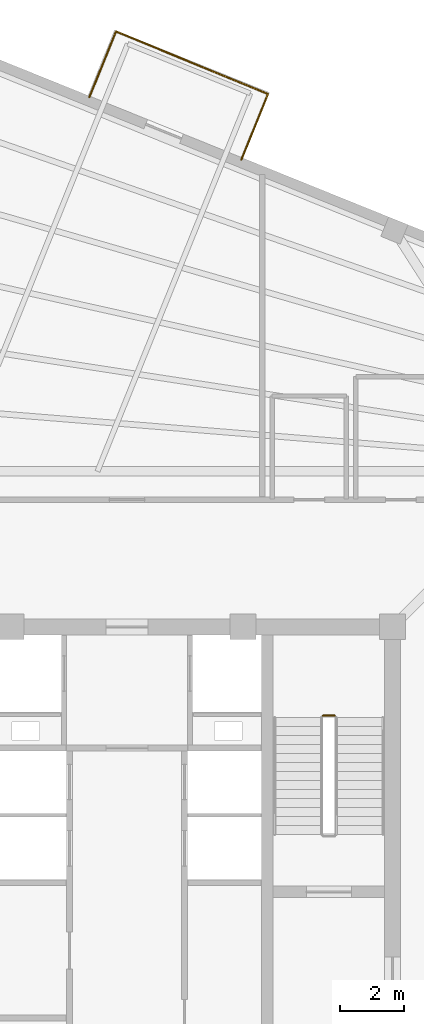
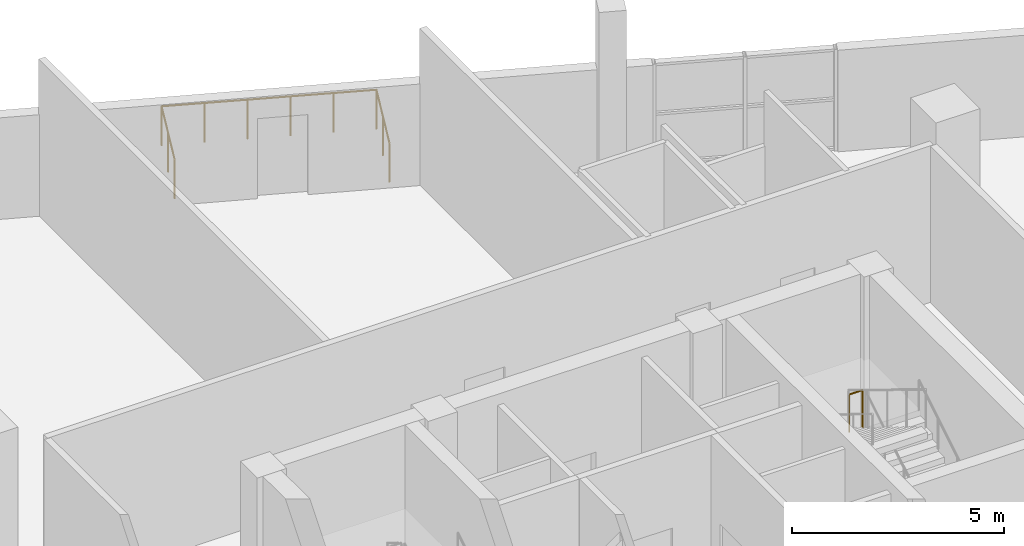
# One storey, part 9 of 9: 4 railings.
"""IFC4 building model written with IfcOpenShell, lengths in metres."""

from ifc_helpers import new_model, si_unit, direction, frame, origin, origin_2d, place, context, subcontext, project, spatial, circle, extrude, source, transform, mapped, material, type_object, element, save


model = new_model("IFC4")

# Units and contexts
model_context = context("Model", 3, precision=1e-05, world=origin(), true_north=direction((0.0, 1.0)))
body_context = subcontext(model_context, "Body", "Model", "MODEL_VIEW")
ifc_project = project(units=[si_unit("LENGTHUNIT", "METRE"), si_unit("AREAUNIT", "SQUARE_METRE"), si_unit("VOLUMEUNIT", "CUBIC_METRE"), si_unit("PLANEANGLEUNIT", "RADIAN"), si_unit("MASSUNIT", "GRAM", prefix="KILO"), si_unit("THERMODYNAMICTEMPERATUREUNIT", "KELVIN")], contexts=[model_context])

# Site, building, storey
site_placement = place(None, origin())
site = spatial("IfcSite", under=ifc_project, at=site_placement, CompositionType="ELEMENT")
building_placement = place(site_placement, origin())
building = spatial("IfcBuilding", under=site, at=building_placement, Name="Kosmvard Interchange Tower", CompositionType="ELEMENT")
storey_placement = place(building_placement, frame((0.0, 0.0, 316.800048828125)))
storey = spatial("IfcBuildingStorey", under=building, at=storey_placement, Name="L78", CompositionType="ELEMENT", Elevation=316.800048828125)

# Railings
ifc_material = material(Name="Steel S355", Category="steel")
railing_type_1 = type_object("IfcRailingType", Name="Observation & Balcony Glass-Infill Balustrade 1150", PredefinedType="BALUSTRADE", material=ifc_material)
shared_shape_1 = source(origin(), body_context, "Body", "SweptSolid", [
    extrude(circle(Radius=0.02392578125, at=origin_2d()), frame((0.0, 0.0, 1.1259765625), z_axis=(0.374641021112, 0.927169944131, 0.0), x_axis=(-0.927169944131, 0.374641021112, 0.0)), (0.0, 0.0, 1.0), 2.199951171875),
    extrude(circle(Radius=0.02099609375, at=origin_2d()), origin(), (0.0, 0.0, 1.0), 1.101806640625),
    extrude(circle(Radius=0.02099609375, at=origin_2d()), frame((0.412109375, 1.02001953125, 0.0)), (0.0, 0.0, 1.0), 1.101806640625),
    extrude(circle(Radius=0.02099609375, at=origin_2d()), frame((0.82421875, 2.039794921875, 0.0)), (0.0, 0.0, 1.0), 1.101806640625),
])
railing_1_placement = place(storey_placement, frame((3.55419921875, 22.762939453125, 0.0)))
element("IfcRailing", 1, at=railing_1_placement, inside=storey, type_object=railing_type_1, Name="L78 Outdoor Terrace Guard OBD-L78-E-A", PredefinedType="BALUSTRADE", context=body_context, shape_type="MappedRepresentation", body=[
    mapped(shared_shape_1, transform((0.0, 0.0, 0.0), scale=1.0)),
])
shared_shape_2 = source(origin(), body_context, "Body", "SweptSolid", [
    extrude(circle(Radius=0.02392578125, at=origin_2d()), frame((0.0, 0.0, 1.1259765625), z_axis=(-0.924872094876, 0.380278329806, 0.0), x_axis=(-0.380278329806, -0.924872094876, 0.0)), (0.0, 0.0, 1.0), 5.105224609375),
    extrude(circle(Radius=0.02099609375, at=origin_2d()), origin(), (0.0, 0.0, 1.0), 1.101806640625),
    extrude(circle(Radius=0.02099609375, at=origin_2d()), frame((-0.9443359375, 0.38818359375, 0.0)), (0.0, 0.0, 1.0), 1.101806640625),
    extrude(circle(Radius=0.02099609375, at=origin_2d()), frame((-1.888671875, 0.776611328125, 0.0)), (0.0, 0.0, 1.0), 1.101806640625),
    extrude(circle(Radius=0.02099609375, at=origin_2d()), frame((-2.8330078125, 1.164794921875, 0.0)), (0.0, 0.0, 1.0), 1.101806640625),
    extrude(circle(Radius=0.02099609375, at=origin_2d()), frame((-3.77734375, 1.55322265625, 0.0)), (0.0, 0.0, 1.0), 1.101806640625),
    extrude(circle(Radius=0.02099609375, at=origin_2d()), frame((-4.7216796875, 1.94140625, 0.0)), (0.0, 0.0, 1.0), 1.101806640625),
])
railing_2_placement = place(storey_placement, frame((4.37841796875, 24.802734375, 0.0)))
element("IfcRailing", 2, at=railing_2_placement, inside=storey, type_object=railing_type_1, Name="L78 Outdoor Terrace Guard OBD-L78-E-B", PredefinedType="BALUSTRADE", context=body_context, shape_type="MappedRepresentation", body=[
    mapped(shared_shape_2, transform((0.0, 0.0, 0.0), scale=1.0)),
])
shared_shape_3 = source(origin(), body_context, "Body", "SweptSolid", [
    extrude(circle(Radius=0.02392578125, at=origin_2d()), frame((0.0, 0.0, 1.1259765625), z_axis=(-0.374641021112, -0.927169944131, 0.0), x_axis=(0.927169944131, -0.374641021112, 0.0)), (0.0, 0.0, 1.0), 2.199951171875),
    extrude(circle(Radius=0.02099609375, at=origin_2d()), origin(), (0.0, 0.0, 1.0), 1.101806640625),
    extrude(circle(Radius=0.02099609375, at=origin_2d()), frame((-0.412109375, -1.02001953125, 0.0)), (0.0, 0.0, 1.0), 1.101806640625),
    extrude(circle(Radius=0.02099609375, at=origin_2d()), frame((-0.82421875, -2.039794921875, 0.0)), (0.0, 0.0, 1.0), 1.101806640625),
])
railing_3_placement = place(storey_placement, frame((-0.34326171875, 26.744140625, 0.0)))
element("IfcRailing", 3, at=railing_3_placement, inside=storey, type_object=railing_type_1, Name="L78 Outdoor Terrace Guard OBD-L78-E-C", PredefinedType="BALUSTRADE", context=body_context, shape_type="MappedRepresentation", body=[
    mapped(shared_shape_3, transform((0.0, 0.0, 0.0), scale=1.0)),
])
railing_type_2 = type_object("IfcRailingType", Name="Stair & Terrace Safety Guardrail 1100 Steel", PredefinedType="GUARDRAIL", material=ifc_material)
shared_shape_4 = source(origin(), body_context, "Body", "SweptSolid", [
    extrude(circle(Radius=0.02392578125, at=origin_2d()), frame((0.0, 0.0, 1.076171875), z_axis=(-1.0, 0.0, 0.0), x_axis=(0.0, -1.0, 0.0)), (0.0, 0.0, 1.0), 0.35986328125),
    extrude(circle(Radius=0.02099609375, at=origin_2d()), origin(), (0.0, 0.0, 1.0), 1.052001953125),
    extrude(circle(Radius=0.02099609375, at=origin_2d()), frame((-0.35986328125, 0.0, 0.0)), (0.0, 0.0, 1.0), 1.052001953125),
])
railing_4_placement = place(storey_placement, frame((6.449951171875, 5.489990234375, 2.39990234375)))
element("IfcRailing", 4, at=railing_4_placement, inside=storey, type_object=railing_type_2, Name="L78 ST-2 stair guard 2", PredefinedType="GUARDRAIL", context=body_context, shape_type="MappedRepresentation", body=[
    mapped(shared_shape_4, transform((0.0, 0.0, 0.0), scale=1.0)),
])

save(model, "model.ifc")
